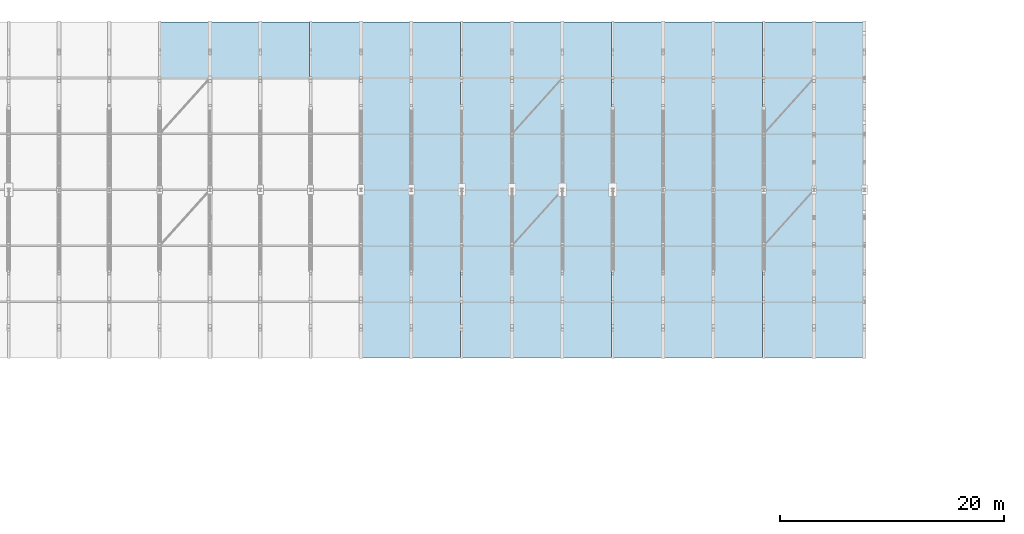
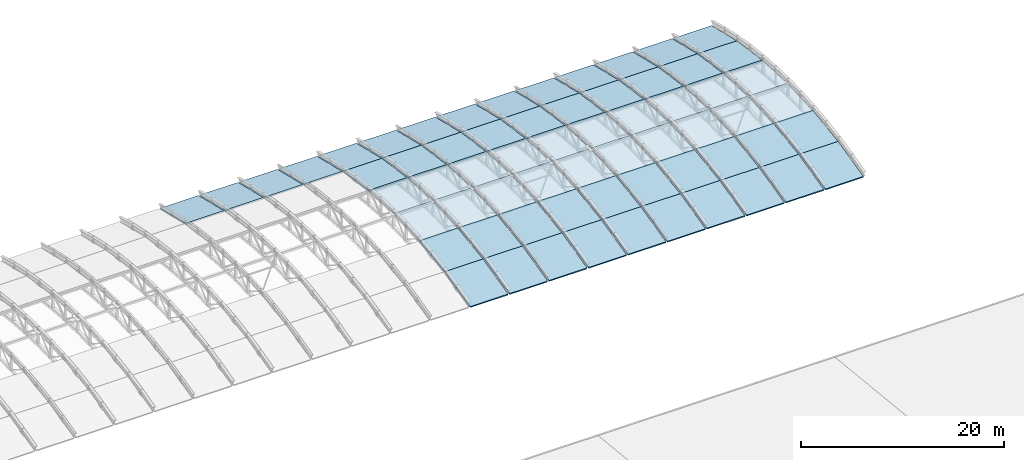
# One storey, part 45 of 53: 64 roofs.
"""IFC4 building model written with IfcOpenShell, lengths in metres."""

import ifcopenshell
import ifcopenshell.guid

model = None  # the IFC model being written
_history = None  # IfcOwnerHistory: only IFC2X3 demands one
_inside = {}  # id of a spatial element -> (the spatial element, [elements in it])
_under = {}  # id of a project, library or spatial element -> (it, [spatial elements below it])
_declared = {}  # id of a project -> (the project, [libraries it declares])
_typed = {}  # id of a type object -> (the type object, [elements of that type])
_made_of = {}  # id of a material, layer set ... -> (it, [elements and type objects made of it])


def new_model(schema):
    """Start an empty IFC model of exactly this schema.

    Asked for "IFC4X3", IfcOpenShell would pick the latest addendum, in which some entities
    have other attributes; the version numbers below select the first issue.
    IFC2X3 requires an IfcOwnerHistory on every rooted entity: one is made here for all.
    """
    global model, _history
    if schema == "IFC4X3":
        model = ifcopenshell.file(schema_version=(4, 3, 0, 0))
    else:
        model = ifcopenshell.file(schema=schema)
    _inside.clear()
    _under.clear()
    _declared.clear()
    _typed.clear()
    _made_of.clear()
    _history = None
    if model.schema == "IFC2X3":
        org = make("IfcOrganization", Name="unknown")
        user = make(
            "IfcPersonAndOrganization",
            ThePerson=make("IfcPerson", FamilyName="unknown"),
            TheOrganization=org,
        )
        app = make(
            "IfcApplication",
            ApplicationDeveloper=org,
            Version="unknown",
            ApplicationFullName="unknown",
            ApplicationIdentifier="unknown",
        )
        _history = make(
            "IfcOwnerHistory",
            OwningUser=user,
            OwningApplication=app,
            ChangeAction="ADDED",
            CreationDate=0,
        )
    return model


def make(cls, **values):
    """One entity of the class cls with the attributes given. An attribute that is None is left unset."""
    return model.create_entity(
        cls, **{name: value for name, value in values.items() if value is not None}
    )


def rooted(cls, **values):
    """An entity with a GlobalId (a new one), such as an element, a storey or a relation."""
    return make(cls, GlobalId=ifcopenshell.guid.new(), OwnerHistory=_history, **values)


def si_unit(unit_type, name, prefix=None):
    """IfcSIUnit, for example si_unit("LENGTHUNIT", "METRE", prefix="MILLI")."""
    return make("IfcSIUnit", UnitType=unit_type, Prefix=prefix, Name=name)


def assignment(units):
    """IfcUnitAssignment: the units of a project."""
    return None if units is None else make("IfcUnitAssignment", Units=units)


def point(xyz):
    """IfcCartesianPoint."""
    return None if xyz is None else make("IfcCartesianPoint", Coordinates=xyz)


def direction(xyz):
    """IfcDirection."""
    return None if xyz is None else make("IfcDirection", DirectionRatios=xyz)


def frame(location, z_axis=None, x_axis=None):
    """IfcAxis2Placement3D, a coordinate frame: its origin and axes. An axis left out is left unset."""
    return make(
        "IfcAxis2Placement3D",
        Location=point(location),
        Axis=direction(z_axis),
        RefDirection=direction(x_axis),
    )


def origin():
    """The frame at (0, 0, 0) with its axes left unset."""
    return frame((0.0, 0.0, 0.0))


def place(relative_to, where):
    """IfcLocalPlacement: puts the frame where relative to a parent placement (None: the world)."""
    return make(
        "IfcLocalPlacement", PlacementRelTo=relative_to, RelativePlacement=where
    )


def context(
    kind, dimensions, precision=None, world=None, true_north=None, identifier=None
):
    """IfcGeometricRepresentationContext, for example the 3D "Model" context."""
    return make(
        "IfcGeometricRepresentationContext",
        ContextIdentifier=identifier,
        ContextType=kind,
        CoordinateSpaceDimension=dimensions,
        Precision=precision,
        WorldCoordinateSystem=world,
        TrueNorth=true_north,
    )


def subcontext(parent, identifier, kind, view, scale=None):
    """IfcGeometricRepresentationSubContext, for example "Body" below "Model"."""
    return make(
        "IfcGeometricRepresentationSubContext",
        ContextIdentifier=identifier,
        ContextType=kind,
        ParentContext=parent,
        TargetScale=scale,
        TargetView=view,
    )


def project(units=None, contexts=None):
    """IfcProject with its units and contexts."""
    return rooted(
        "IfcProject",
        Name="project",
        RepresentationContexts=contexts,
        UnitsInContext=assignment(units),
    )


def spatial(cls, under=None, at=None, **own):
    """A site, building, storey or space (cls), placed at a placement, below another one or the project."""
    s = rooted(cls, ObjectPlacement=at, **own)
    if under is not None:
        _under.setdefault(under.id(), (under, []))[1].append(s)
    return s


def polyline(points):
    """IfcPolyline through the points."""
    return make("IfcPolyline", Points=[point(p) for p in points])


def outline(outer, holes=None, kind="AREA"):
    """IfcArbitraryClosedProfileDef: a profile drawn as a closed curve; with holes, ...WithVoids."""
    if holes is None:
        return make("IfcArbitraryClosedProfileDef", ProfileType=kind, OuterCurve=outer)
    return make(
        "IfcArbitraryProfileDefWithVoids",
        ProfileType=kind,
        OuterCurve=outer,
        InnerCurves=holes,
    )


def extrude(swept, where, along, depth):
    """IfcExtrudedAreaSolid: the profile swept, set in the frame where, extruded along a direction by depth."""
    return make(
        "IfcExtrudedAreaSolid",
        SweptArea=swept,
        Position=where,
        ExtrudedDirection=direction(along),
        Depth=depth,
    )


def shape(context_of_items, identifier, shape_type, items):
    """IfcShapeRepresentation: the items that make up one representation, for example the "Body"."""
    return make(
        "IfcShapeRepresentation",
        ContextOfItems=context_of_items,
        RepresentationIdentifier=identifier,
        RepresentationType=shape_type,
        Items=items,
    )


def material(Name=None, Category=None):
    """IfcMaterial."""
    return make("IfcMaterial", Name=Name, Category=Category)


def made_of(thing, what):
    """Note that an element or type object is made of a material, layer set ...; save() writes the relation."""
    if what is not None:
        _made_of.setdefault(what.id(), (what, []))[1].append(thing)
    return thing


def type_object(cls, material=None, **own):
    """A type object (cls), such as IfcWallType, which elements share."""
    return made_of(rooted(cls, **own), material)


def element(
    cls,
    number,
    at=None,
    inside=None,
    cuts=None,
    type_object=None,
    material=None,
    context=None,
    identifier="Body",
    shape_type=None,
    held_by="IfcProductDefinitionShape",
    body=None,
    shapes=None,
    **own,
):
    """One element of the class cls, such as IfcWall. Its Tag is "e" and its number.

    at: its placement. inside: the storey or other place that contains it. cuts: it is an
    opening in that element (IfcRelVoidsElement). A single representation is given by context,
    identifier, shape_type and body (its items); several are given by shapes. held_by: the class
    of the entity that holds the representations. save() writes the other relations.
    """
    e = rooted(cls, Tag="e%d" % number, ObjectPlacement=at, **own)
    if body is not None:
        shapes = [shape(context, identifier, shape_type, body)]
    if shapes is not None:
        e.Representation = make(held_by, Representations=shapes)
    if inside is not None:
        _inside.setdefault(inside.id(), (inside, []))[1].append(e)
    if cuts is not None:
        rooted(
            "IfcRelVoidsElement", RelatingBuildingElement=cuts, RelatedOpeningElement=e
        )
    if type_object is not None:
        _typed.setdefault(type_object.id(), (type_object, []))[1].append(e)
    return made_of(e, material)


def aggregate(whole, parts):
    """IfcRelAggregates: a whole, such as a stair, and the parts it consists of."""
    return rooted("IfcRelAggregates", RelatingObject=whole, RelatedObjects=parts)


def save(model, path):
    """Write the relations noted so far, then the file.

    IfcRelAggregates (storeys below a building ...), IfcRelContainedInSpatialStructure (elements
    in a storey), IfcRelDefinesByType, IfcRelAssociatesMaterial and IfcRelDeclares: one each for
    every whole, place, type object, material and project.
    """
    for whole, parts in _under.values():
        aggregate(whole, parts)
    for where, things in _inside.values():
        rooted(
            "IfcRelContainedInSpatialStructure",
            RelatedElements=things,
            RelatingStructure=where,
        )
    for kind, things in _typed.values():
        rooted("IfcRelDefinesByType", RelatedObjects=things, RelatingType=kind)
    for what, things in _made_of.values():
        rooted("IfcRelAssociatesMaterial", RelatedObjects=things, RelatingMaterial=what)
    for by, libraries in _declared.values():
        rooted("IfcRelDeclares", RelatingContext=by, RelatedDefinitions=libraries)
    model.write(path)


model = new_model("IFC4")

# Units and contexts
model_context = context("Model", 3, precision=1e-05, world=origin(), true_north=direction((0.0, 1.0)))
body_context = subcontext(model_context, "Body", "Model", "MODEL_VIEW")
ifc_project = project(units=[si_unit("LENGTHUNIT", "METRE"), si_unit("AREAUNIT", "SQUARE_METRE"), si_unit("VOLUMEUNIT", "CUBIC_METRE"), si_unit("PLANEANGLEUNIT", "RADIAN"), si_unit("MASSUNIT", "GRAM", prefix="KILO")], contexts=[model_context])

# Site, building, storey
site_placement = place(None, origin())
site = spatial("IfcSite", under=ifc_project, at=site_placement, CompositionType="ELEMENT")
building_placement = place(site_placement, origin())
building = spatial("IfcBuilding", under=site, at=building_placement, Name="Cazmaro Siding Exhibition Halls", CompositionType="ELEMENT")
storey_placement = place(building_placement, frame((0.0, 0.0, 21.0)))
storey = spatial("IfcBuildingStorey", under=building, at=storey_placement, Name="L04", CompositionType="ELEMENT", Elevation=21.0)

# Roofs
ifc_material = material(Name="Standing Seam Zinc Insulated Roof Assembly", Category="steel")
roof_type = type_object("IfcRoofType", Name="RF-BARREL-01", PredefinedType="BARREL_ROOF", material=ifc_material)
for number, where, z_axis, x_axis, name in (
    (1, (108.0849609375, 104.0, 1.31689453125), (0.0, 0.233723079924, 0.972303204721), (1.0, 0.0, 0.0), "Primary Hall Standing Seam Zinc Roof Cassette RF-V1 177"),
    (2, (112.5849609375, 104.0, 1.31689453125), (0.0, 0.233723079924, 0.972303204721), (1.0, 0.0, 0.0), "Primary Hall Standing Seam Zinc Roof Cassette RF-V1 189"),
    (3, (117.0849609375, 104.0, 1.31689453125), (0.0, 0.233723079924, 0.972303204721), (1.0, 0.0, 0.0), "Primary Hall Standing Seam Zinc Roof Cassette RF-V1 201"),
    (4, (121.5849609375, 104.0, 1.31689453125), (0.0, 0.233723079924, 0.972303204721), (1.0, 0.0, 0.0), "Primary Hall Standing Seam Zinc Roof Cassette RF-V1 213"),
    (5, (126.0849609375, 79.0, 0.114990234375), (0.0, -0.233723079924, 0.972303204721), (1.0, 0.0, 0.0), "Primary Hall Standing Seam Zinc Roof Cassette RF-V1 220"),
):
    element("IfcRoof", number, at=place(storey_placement, frame(where, z_axis=z_axis, x_axis=x_axis)), inside=storey, type_object=roof_type, Name=name, PredefinedType="BARREL_ROOF", context=body_context, shape_type="SweptSolid", body=[
        extrude(outline(polyline([(0.0, 0.0), (4.330078125, 0.0), (4.330078125, 5.142428797644804), (0.0, 5.142428797644804), (0.0, 0.0)])), origin(), (0.0, 0.0, -1.0), 0.159912109375),
    ])
roof_1_placement = place(storey_placement, frame((126.0849609375, 84.0, 1.31689453125), z_axis=(0.0, -0.140392508323, 0.990095926467), x_axis=(1.0, 0.0, 0.0)))
element("IfcRoof", 6, at=roof_1_placement, inside=storey, type_object=roof_type, Name="Primary Hall Standing Seam Zinc Roof Cassette RF-V1 221", PredefinedType="BARREL_ROOF", context=body_context, shape_type="SweptSolid", body=[
    extrude(outline(polyline([(0.0, 0.0), (4.330078125, 0.0), (4.330078125, 5.050015727103643), (0.0, 5.050015727103643), (0.0, 0.0)])), origin(), (0.0, 0.0, -1.0), 0.159912109375),
])
for number, where, z_axis, x_axis, name in (
    (7, (126.0849609375, 89.0, 2.02587890625), (0.0, -0.046774918499, 0.998905454485), (1.0, 0.0, 0.0), "Primary Hall Standing Seam Zinc Roof Cassette RF-V1 222"),
    (8, (126.0849609375, 94.0, 2.260009765625), (0.0, 0.046774918499, 0.998905454485), (1.0, 0.0, 0.0), "Primary Hall Standing Seam Zinc Roof Cassette RF-V1 223"),
):
    element("IfcRoof", number, at=place(storey_placement, frame(where, z_axis=z_axis, x_axis=x_axis)), inside=storey, type_object=roof_type, Name=name, PredefinedType="BARREL_ROOF", context=body_context, shape_type="SweptSolid", body=[
        extrude(outline(polyline([(0.0, 0.0), (4.330078125, 0.0), (4.330078125, 5.005478724289183), (0.0, 5.005478724289183), (0.0, 0.0)])), origin(), (0.0, 0.0, -1.0), 0.159912109375),
    ])
roof_2_placement = place(storey_placement, frame((126.0849609375, 99.0, 2.02587890625), z_axis=(0.0, 0.140392508323, 0.990095926467), x_axis=(1.0, 0.0, 0.0)))
element("IfcRoof", 9, at=roof_2_placement, inside=storey, type_object=roof_type, Name="Primary Hall Standing Seam Zinc Roof Cassette RF-V1 224", PredefinedType="BARREL_ROOF", context=body_context, shape_type="SweptSolid", body=[
    extrude(outline(polyline([(0.0, 0.0), (4.330078125, 0.0), (4.330078125, 5.050015727103643), (0.0, 5.050015727103643), (0.0, 0.0)])), origin(), (0.0, 0.0, -1.0), 0.159912109375),
])
for number, where, z_axis, x_axis, name in (
    (10, (126.0849609375, 104.0, 1.31689453125), (0.0, 0.233723079924, 0.972303204721), (1.0, 0.0, 0.0), "Primary Hall Standing Seam Zinc Roof Cassette RF-V1 225"),
    (11, (130.5849609375, 79.0, 0.114990234375), (0.0, -0.233723079924, 0.972303204721), (1.0, 0.0, 0.0), "Primary Hall Standing Seam Zinc Roof Cassette RF-V1 232"),
):
    element("IfcRoof", number, at=place(storey_placement, frame(where, z_axis=z_axis, x_axis=x_axis)), inside=storey, type_object=roof_type, Name=name, PredefinedType="BARREL_ROOF", context=body_context, shape_type="SweptSolid", body=[
        extrude(outline(polyline([(0.0, 0.0), (4.330078125, 0.0), (4.330078125, 5.142428797644804), (0.0, 5.142428797644804), (0.0, 0.0)])), origin(), (0.0, 0.0, -1.0), 0.159912109375),
    ])
roof_3_placement = place(storey_placement, frame((130.5849609375, 84.0, 1.31689453125), z_axis=(0.0, -0.140392508323, 0.990095926467), x_axis=(1.0, 0.0, 0.0)))
element("IfcRoof", 12, at=roof_3_placement, inside=storey, type_object=roof_type, Name="Primary Hall Standing Seam Zinc Roof Cassette RF-V1 233", PredefinedType="BARREL_ROOF", context=body_context, shape_type="SweptSolid", body=[
    extrude(outline(polyline([(0.0, 0.0), (4.330078125, 0.0), (4.330078125, 5.050015727103643), (0.0, 5.050015727103643), (0.0, 0.0)])), origin(), (0.0, 0.0, -1.0), 0.159912109375),
])
for number, where, z_axis, x_axis, name in (
    (13, (130.5849609375, 89.0, 2.02587890625), (0.0, -0.046774918499, 0.998905454485), (1.0, 0.0, 0.0), "Primary Hall Standing Seam Zinc Roof Cassette RF-V1 234"),
    (14, (130.5849609375, 94.0, 2.260009765625), (0.0, 0.046774918499, 0.998905454485), (1.0, 0.0, 0.0), "Primary Hall Standing Seam Zinc Roof Cassette RF-V1 235"),
):
    element("IfcRoof", number, at=place(storey_placement, frame(where, z_axis=z_axis, x_axis=x_axis)), inside=storey, type_object=roof_type, Name=name, PredefinedType="BARREL_ROOF", context=body_context, shape_type="SweptSolid", body=[
        extrude(outline(polyline([(0.0, 0.0), (4.330078125, 0.0), (4.330078125, 5.005478724289183), (0.0, 5.005478724289183), (0.0, 0.0)])), origin(), (0.0, 0.0, -1.0), 0.159912109375),
    ])
roof_4_placement = place(storey_placement, frame((130.5849609375, 99.0, 2.02587890625), z_axis=(0.0, 0.140392508323, 0.990095926467), x_axis=(1.0, 0.0, 0.0)))
element("IfcRoof", 15, at=roof_4_placement, inside=storey, type_object=roof_type, Name="Primary Hall Standing Seam Zinc Roof Cassette RF-V1 236", PredefinedType="BARREL_ROOF", context=body_context, shape_type="SweptSolid", body=[
    extrude(outline(polyline([(0.0, 0.0), (4.330078125, 0.0), (4.330078125, 5.050015727103643), (0.0, 5.050015727103643), (0.0, 0.0)])), origin(), (0.0, 0.0, -1.0), 0.159912109375),
])
for number, where, z_axis, x_axis, name in (
    (16, (130.5849609375, 104.0, 1.31689453125), (0.0, 0.233723079924, 0.972303204721), (1.0, 0.0, 0.0), "Primary Hall Standing Seam Zinc Roof Cassette RF-V1 237"),
    (17, (135.0849609375, 79.0, 0.114990234375), (0.0, -0.233723079924, 0.972303204721), (1.0, 0.0, 0.0), "Primary Hall Standing Seam Zinc Roof Cassette RF-V1 244"),
):
    element("IfcRoof", number, at=place(storey_placement, frame(where, z_axis=z_axis, x_axis=x_axis)), inside=storey, type_object=roof_type, Name=name, PredefinedType="BARREL_ROOF", context=body_context, shape_type="SweptSolid", body=[
        extrude(outline(polyline([(0.0, 0.0), (4.330078125, 0.0), (4.330078125, 5.142428797644804), (0.0, 5.142428797644804), (0.0, 0.0)])), origin(), (0.0, 0.0, -1.0), 0.159912109375),
    ])
roof_5_placement = place(storey_placement, frame((135.0849609375, 84.0, 1.31689453125), z_axis=(0.0, -0.140392508323, 0.990095926467), x_axis=(1.0, 0.0, 0.0)))
element("IfcRoof", 18, at=roof_5_placement, inside=storey, type_object=roof_type, Name="Primary Hall Standing Seam Zinc Roof Cassette RF-V1 245", PredefinedType="BARREL_ROOF", context=body_context, shape_type="SweptSolid", body=[
    extrude(outline(polyline([(0.0, 0.0), (4.330078125, 0.0), (4.330078125, 5.050015727103643), (0.0, 5.050015727103643), (0.0, 0.0)])), origin(), (0.0, 0.0, -1.0), 0.159912109375),
])
for number, where, z_axis, x_axis, name in (
    (19, (135.0849609375, 89.0, 2.02587890625), (0.0, -0.046774918499, 0.998905454485), (1.0, 0.0, 0.0), "Primary Hall Standing Seam Zinc Roof Cassette RF-V1 246"),
    (20, (135.0849609375, 94.0, 2.260009765625), (0.0, 0.046774918499, 0.998905454485), (1.0, 0.0, 0.0), "Primary Hall Standing Seam Zinc Roof Cassette RF-V1 247"),
):
    element("IfcRoof", number, at=place(storey_placement, frame(where, z_axis=z_axis, x_axis=x_axis)), inside=storey, type_object=roof_type, Name=name, PredefinedType="BARREL_ROOF", context=body_context, shape_type="SweptSolid", body=[
        extrude(outline(polyline([(0.0, 0.0), (4.330078125, 0.0), (4.330078125, 5.005478724289183), (0.0, 5.005478724289183), (0.0, 0.0)])), origin(), (0.0, 0.0, -1.0), 0.159912109375),
    ])
roof_6_placement = place(storey_placement, frame((135.0849609375, 99.0, 2.02587890625), z_axis=(0.0, 0.140392508323, 0.990095926467), x_axis=(1.0, 0.0, 0.0)))
element("IfcRoof", 21, at=roof_6_placement, inside=storey, type_object=roof_type, Name="Primary Hall Standing Seam Zinc Roof Cassette RF-V1 248", PredefinedType="BARREL_ROOF", context=body_context, shape_type="SweptSolid", body=[
    extrude(outline(polyline([(0.0, 0.0), (4.330078125, 0.0), (4.330078125, 5.050015727103643), (0.0, 5.050015727103643), (0.0, 0.0)])), origin(), (0.0, 0.0, -1.0), 0.159912109375),
])
for number, where, z_axis, x_axis, name in (
    (22, (135.0849609375, 104.0, 1.31689453125), (0.0, 0.233723079924, 0.972303204721), (1.0, 0.0, 0.0), "Primary Hall Standing Seam Zinc Roof Cassette RF-V1 249"),
    (23, (139.5849609375, 79.0, 0.114990234375), (0.0, -0.233723079924, 0.972303204721), (1.0, 0.0, 0.0), "Primary Hall Standing Seam Zinc Roof Cassette RF-V1 256"),
):
    element("IfcRoof", number, at=place(storey_placement, frame(where, z_axis=z_axis, x_axis=x_axis)), inside=storey, type_object=roof_type, Name=name, PredefinedType="BARREL_ROOF", context=body_context, shape_type="SweptSolid", body=[
        extrude(outline(polyline([(0.0, 0.0), (4.330078125, 0.0), (4.330078125, 5.142428797644804), (0.0, 5.142428797644804), (0.0, 0.0)])), origin(), (0.0, 0.0, -1.0), 0.159912109375),
    ])
roof_7_placement = place(storey_placement, frame((139.5849609375, 84.0, 1.31689453125), z_axis=(0.0, -0.140392508323, 0.990095926467), x_axis=(1.0, 0.0, 0.0)))
element("IfcRoof", 24, at=roof_7_placement, inside=storey, type_object=roof_type, Name="Primary Hall Standing Seam Zinc Roof Cassette RF-V1 257", PredefinedType="BARREL_ROOF", context=body_context, shape_type="SweptSolid", body=[
    extrude(outline(polyline([(0.0, 0.0), (4.330078125, 0.0), (4.330078125, 5.050015727103643), (0.0, 5.050015727103643), (0.0, 0.0)])), origin(), (0.0, 0.0, -1.0), 0.159912109375),
])
for number, where, z_axis, x_axis, name in (
    (25, (139.5849609375, 89.0, 2.02587890625), (0.0, -0.046774918499, 0.998905454485), (1.0, 0.0, 0.0), "Primary Hall Standing Seam Zinc Roof Cassette RF-V1 258"),
    (26, (139.5849609375, 94.0, 2.260009765625), (0.0, 0.046774918499, 0.998905454485), (1.0, 0.0, 0.0), "Primary Hall Standing Seam Zinc Roof Cassette RF-V1 259"),
):
    element("IfcRoof", number, at=place(storey_placement, frame(where, z_axis=z_axis, x_axis=x_axis)), inside=storey, type_object=roof_type, Name=name, PredefinedType="BARREL_ROOF", context=body_context, shape_type="SweptSolid", body=[
        extrude(outline(polyline([(0.0, 0.0), (4.330078125, 0.0), (4.330078125, 5.005478724289183), (0.0, 5.005478724289183), (0.0, 0.0)])), origin(), (0.0, 0.0, -1.0), 0.159912109375),
    ])
roof_8_placement = place(storey_placement, frame((139.5849609375, 99.0, 2.02587890625), z_axis=(0.0, 0.140392508323, 0.990095926467), x_axis=(1.0, 0.0, 0.0)))
element("IfcRoof", 27, at=roof_8_placement, inside=storey, type_object=roof_type, Name="Primary Hall Standing Seam Zinc Roof Cassette RF-V1 260", PredefinedType="BARREL_ROOF", context=body_context, shape_type="SweptSolid", body=[
    extrude(outline(polyline([(0.0, 0.0), (4.330078125, 0.0), (4.330078125, 5.050015727103643), (0.0, 5.050015727103643), (0.0, 0.0)])), origin(), (0.0, 0.0, -1.0), 0.159912109375),
])
for number, where, z_axis, x_axis, name in (
    (28, (139.5849609375, 104.0, 1.31689453125), (0.0, 0.233723079924, 0.972303204721), (1.0, 0.0, 0.0), "Primary Hall Standing Seam Zinc Roof Cassette RF-V1 261"),
    (29, (144.0849609375, 79.0, 0.114990234375), (0.0, -0.233723079924, 0.972303204721), (1.0, 0.0, 0.0), "Primary Hall Standing Seam Zinc Roof Cassette RF-V1 268"),
):
    element("IfcRoof", number, at=place(storey_placement, frame(where, z_axis=z_axis, x_axis=x_axis)), inside=storey, type_object=roof_type, Name=name, PredefinedType="BARREL_ROOF", context=body_context, shape_type="SweptSolid", body=[
        extrude(outline(polyline([(0.0, 0.0), (4.330078125, 0.0), (4.330078125, 5.142428797644804), (0.0, 5.142428797644804), (0.0, 0.0)])), origin(), (0.0, 0.0, -1.0), 0.159912109375),
    ])
roof_9_placement = place(storey_placement, frame((144.0849609375, 84.0, 1.31689453125), z_axis=(0.0, -0.140392508323, 0.990095926467), x_axis=(1.0, 0.0, 0.0)))
element("IfcRoof", 30, at=roof_9_placement, inside=storey, type_object=roof_type, Name="Primary Hall Standing Seam Zinc Roof Cassette RF-V1 269", PredefinedType="BARREL_ROOF", context=body_context, shape_type="SweptSolid", body=[
    extrude(outline(polyline([(0.0, 0.0), (4.330078125, 0.0), (4.330078125, 5.050015727103643), (0.0, 5.050015727103643), (0.0, 0.0)])), origin(), (0.0, 0.0, -1.0), 0.159912109375),
])
for number, where, z_axis, x_axis, name in (
    (31, (144.0849609375, 89.0, 2.02587890625), (0.0, -0.046774918499, 0.998905454485), (1.0, 0.0, 0.0), "Primary Hall Standing Seam Zinc Roof Cassette RF-V1 270"),
    (32, (144.0849609375, 94.0, 2.260009765625), (0.0, 0.046774918499, 0.998905454485), (1.0, 0.0, 0.0), "Primary Hall Standing Seam Zinc Roof Cassette RF-V1 271"),
):
    element("IfcRoof", number, at=place(storey_placement, frame(where, z_axis=z_axis, x_axis=x_axis)), inside=storey, type_object=roof_type, Name=name, PredefinedType="BARREL_ROOF", context=body_context, shape_type="SweptSolid", body=[
        extrude(outline(polyline([(0.0, 0.0), (4.330078125, 0.0), (4.330078125, 5.005478724289183), (0.0, 5.005478724289183), (0.0, 0.0)])), origin(), (0.0, 0.0, -1.0), 0.159912109375),
    ])
roof_10_placement = place(storey_placement, frame((144.0849609375, 99.0, 2.02587890625), z_axis=(0.0, 0.140392508323, 0.990095926467), x_axis=(1.0, 0.0, 0.0)))
element("IfcRoof", 33, at=roof_10_placement, inside=storey, type_object=roof_type, Name="Primary Hall Standing Seam Zinc Roof Cassette RF-V1 272", PredefinedType="BARREL_ROOF", context=body_context, shape_type="SweptSolid", body=[
    extrude(outline(polyline([(0.0, 0.0), (4.330078125, 0.0), (4.330078125, 5.050015727103643), (0.0, 5.050015727103643), (0.0, 0.0)])), origin(), (0.0, 0.0, -1.0), 0.159912109375),
])
for number, where, z_axis, x_axis, name in (
    (34, (144.0849609375, 104.0, 1.31689453125), (0.0, 0.233723079924, 0.972303204721), (1.0, 0.0, 0.0), "Primary Hall Standing Seam Zinc Roof Cassette RF-V1 273"),
    (35, (148.5849609375, 79.0, 0.114990234375), (0.0, -0.233723079924, 0.972303204721), (1.0, 0.0, 0.0), "Primary Hall Standing Seam Zinc Roof Cassette RF-V1 280"),
):
    element("IfcRoof", number, at=place(storey_placement, frame(where, z_axis=z_axis, x_axis=x_axis)), inside=storey, type_object=roof_type, Name=name, PredefinedType="BARREL_ROOF", context=body_context, shape_type="SweptSolid", body=[
        extrude(outline(polyline([(0.0, 0.0), (4.330078125, 0.0), (4.330078125, 5.142428797644804), (0.0, 5.142428797644804), (0.0, 0.0)])), origin(), (0.0, 0.0, -1.0), 0.159912109375),
    ])
roof_11_placement = place(storey_placement, frame((148.5849609375, 84.0, 1.31689453125), z_axis=(0.0, -0.140392508323, 0.990095926467), x_axis=(1.0, 0.0, 0.0)))
element("IfcRoof", 36, at=roof_11_placement, inside=storey, type_object=roof_type, Name="Primary Hall Standing Seam Zinc Roof Cassette RF-V1 281", PredefinedType="BARREL_ROOF", context=body_context, shape_type="SweptSolid", body=[
    extrude(outline(polyline([(0.0, 0.0), (4.330078125, 0.0), (4.330078125, 5.050015727103643), (0.0, 5.050015727103643), (0.0, 0.0)])), origin(), (0.0, 0.0, -1.0), 0.159912109375),
])
for number, where, z_axis, x_axis, name in (
    (37, (148.5849609375, 89.0, 2.02587890625), (0.0, -0.046774918499, 0.998905454485), (1.0, 0.0, 0.0), "Primary Hall Standing Seam Zinc Roof Cassette RF-V1 282"),
    (38, (148.5849609375, 94.0, 2.260009765625), (0.0, 0.046774918499, 0.998905454485), (1.0, 0.0, 0.0), "Primary Hall Standing Seam Zinc Roof Cassette RF-V1 283"),
):
    element("IfcRoof", number, at=place(storey_placement, frame(where, z_axis=z_axis, x_axis=x_axis)), inside=storey, type_object=roof_type, Name=name, PredefinedType="BARREL_ROOF", context=body_context, shape_type="SweptSolid", body=[
        extrude(outline(polyline([(0.0, 0.0), (4.330078125, 0.0), (4.330078125, 5.005478724289183), (0.0, 5.005478724289183), (0.0, 0.0)])), origin(), (0.0, 0.0, -1.0), 0.159912109375),
    ])
roof_12_placement = place(storey_placement, frame((148.5849609375, 99.0, 2.02587890625), z_axis=(0.0, 0.140392508323, 0.990095926467), x_axis=(1.0, 0.0, 0.0)))
element("IfcRoof", 39, at=roof_12_placement, inside=storey, type_object=roof_type, Name="Primary Hall Standing Seam Zinc Roof Cassette RF-V1 284", PredefinedType="BARREL_ROOF", context=body_context, shape_type="SweptSolid", body=[
    extrude(outline(polyline([(0.0, 0.0), (4.330078125, 0.0), (4.330078125, 5.050015727103643), (0.0, 5.050015727103643), (0.0, 0.0)])), origin(), (0.0, 0.0, -1.0), 0.159912109375),
])
for number, where, z_axis, x_axis, name in (
    (40, (148.5849609375, 104.0, 1.31689453125), (0.0, 0.233723079924, 0.972303204721), (1.0, 0.0, 0.0), "Primary Hall Standing Seam Zinc Roof Cassette RF-V1 285"),
    (41, (153.0849609375, 79.0, 0.114990234375), (0.0, -0.233723079924, 0.972303204721), (1.0, 0.0, 0.0), "Primary Hall Standing Seam Zinc Roof Cassette RF-V1 292"),
):
    element("IfcRoof", number, at=place(storey_placement, frame(where, z_axis=z_axis, x_axis=x_axis)), inside=storey, type_object=roof_type, Name=name, PredefinedType="BARREL_ROOF", context=body_context, shape_type="SweptSolid", body=[
        extrude(outline(polyline([(0.0, 0.0), (4.330078125, 0.0), (4.330078125, 5.142428797644804), (0.0, 5.142428797644804), (0.0, 0.0)])), origin(), (0.0, 0.0, -1.0), 0.159912109375),
    ])
roof_13_placement = place(storey_placement, frame((153.0849609375, 84.0, 1.31689453125), z_axis=(0.0, -0.140392508323, 0.990095926467), x_axis=(1.0, 0.0, 0.0)))
element("IfcRoof", 42, at=roof_13_placement, inside=storey, type_object=roof_type, Name="Primary Hall Standing Seam Zinc Roof Cassette RF-V1 293", PredefinedType="BARREL_ROOF", context=body_context, shape_type="SweptSolid", body=[
    extrude(outline(polyline([(0.0, 0.0), (4.330078125, 0.0), (4.330078125, 5.050015727103643), (0.0, 5.050015727103643), (0.0, 0.0)])), origin(), (0.0, 0.0, -1.0), 0.159912109375),
])
for number, where, z_axis, x_axis, name in (
    (43, (153.0849609375, 89.0, 2.02587890625), (0.0, -0.046774918499, 0.998905454485), (1.0, 0.0, 0.0), "Primary Hall Standing Seam Zinc Roof Cassette RF-V1 294"),
    (44, (153.0849609375, 94.0, 2.260009765625), (0.0, 0.046774918499, 0.998905454485), (1.0, 0.0, 0.0), "Primary Hall Standing Seam Zinc Roof Cassette RF-V1 295"),
):
    element("IfcRoof", number, at=place(storey_placement, frame(where, z_axis=z_axis, x_axis=x_axis)), inside=storey, type_object=roof_type, Name=name, PredefinedType="BARREL_ROOF", context=body_context, shape_type="SweptSolid", body=[
        extrude(outline(polyline([(0.0, 0.0), (4.330078125, 0.0), (4.330078125, 5.005478724289183), (0.0, 5.005478724289183), (0.0, 0.0)])), origin(), (0.0, 0.0, -1.0), 0.159912109375),
    ])
roof_14_placement = place(storey_placement, frame((153.0849609375, 99.0, 2.02587890625), z_axis=(0.0, 0.140392508323, 0.990095926467), x_axis=(1.0, 0.0, 0.0)))
element("IfcRoof", 45, at=roof_14_placement, inside=storey, type_object=roof_type, Name="Primary Hall Standing Seam Zinc Roof Cassette RF-V1 296", PredefinedType="BARREL_ROOF", context=body_context, shape_type="SweptSolid", body=[
    extrude(outline(polyline([(0.0, 0.0), (4.330078125, 0.0), (4.330078125, 5.050015727103643), (0.0, 5.050015727103643), (0.0, 0.0)])), origin(), (0.0, 0.0, -1.0), 0.159912109375),
])
for number, where, z_axis, x_axis, name in (
    (46, (153.0849609375, 104.0, 1.31689453125), (0.0, 0.233723079924, 0.972303204721), (1.0, 0.0, 0.0), "Primary Hall Standing Seam Zinc Roof Cassette RF-V1 297"),
    (47, (157.5849609375, 79.0, 0.114990234375), (0.0, -0.233723079924, 0.972303204721), (1.0, 0.0, 0.0), "Primary Hall Standing Seam Zinc Roof Cassette RF-V1 304"),
):
    element("IfcRoof", number, at=place(storey_placement, frame(where, z_axis=z_axis, x_axis=x_axis)), inside=storey, type_object=roof_type, Name=name, PredefinedType="BARREL_ROOF", context=body_context, shape_type="SweptSolid", body=[
        extrude(outline(polyline([(0.0, 0.0), (4.330078125, 0.0), (4.330078125, 5.142428797644804), (0.0, 5.142428797644804), (0.0, 0.0)])), origin(), (0.0, 0.0, -1.0), 0.159912109375),
    ])
roof_15_placement = place(storey_placement, frame((157.5849609375, 84.0, 1.31689453125), z_axis=(0.0, -0.140392508323, 0.990095926467), x_axis=(1.0, 0.0, 0.0)))
element("IfcRoof", 48, at=roof_15_placement, inside=storey, type_object=roof_type, Name="Primary Hall Standing Seam Zinc Roof Cassette RF-V1 305", PredefinedType="BARREL_ROOF", context=body_context, shape_type="SweptSolid", body=[
    extrude(outline(polyline([(0.0, 0.0), (4.330078125, 0.0), (4.330078125, 5.050015727103643), (0.0, 5.050015727103643), (0.0, 0.0)])), origin(), (0.0, 0.0, -1.0), 0.159912109375),
])
for number, where, z_axis, x_axis, name in (
    (49, (157.5849609375, 89.0, 2.02587890625), (0.0, -0.046774918499, 0.998905454485), (1.0, 0.0, 0.0), "Primary Hall Standing Seam Zinc Roof Cassette RF-V1 306"),
    (50, (157.5849609375, 94.0, 2.260009765625), (0.0, 0.046774918499, 0.998905454485), (1.0, 0.0, 0.0), "Primary Hall Standing Seam Zinc Roof Cassette RF-V1 307"),
):
    element("IfcRoof", number, at=place(storey_placement, frame(where, z_axis=z_axis, x_axis=x_axis)), inside=storey, type_object=roof_type, Name=name, PredefinedType="BARREL_ROOF", context=body_context, shape_type="SweptSolid", body=[
        extrude(outline(polyline([(0.0, 0.0), (4.330078125, 0.0), (4.330078125, 5.005478724289183), (0.0, 5.005478724289183), (0.0, 0.0)])), origin(), (0.0, 0.0, -1.0), 0.159912109375),
    ])
roof_16_placement = place(storey_placement, frame((157.5849609375, 99.0, 2.02587890625), z_axis=(0.0, 0.140392508323, 0.990095926467), x_axis=(1.0, 0.0, 0.0)))
element("IfcRoof", 51, at=roof_16_placement, inside=storey, type_object=roof_type, Name="Primary Hall Standing Seam Zinc Roof Cassette RF-V1 308", PredefinedType="BARREL_ROOF", context=body_context, shape_type="SweptSolid", body=[
    extrude(outline(polyline([(0.0, 0.0), (4.330078125, 0.0), (4.330078125, 5.050015727103643), (0.0, 5.050015727103643), (0.0, 0.0)])), origin(), (0.0, 0.0, -1.0), 0.159912109375),
])
for number, where, z_axis, x_axis, name in (
    (52, (157.5849609375, 104.0, 1.31689453125), (0.0, 0.233723079924, 0.972303204721), (1.0, 0.0, 0.0), "Primary Hall Standing Seam Zinc Roof Cassette RF-V1 309"),
    (53, (162.0849609375, 79.0, 0.114990234375), (0.0, -0.233723079924, 0.972303204721), (1.0, 0.0, 0.0), "Primary Hall Standing Seam Zinc Roof Cassette RF-V1 316"),
):
    element("IfcRoof", number, at=place(storey_placement, frame(where, z_axis=z_axis, x_axis=x_axis)), inside=storey, type_object=roof_type, Name=name, PredefinedType="BARREL_ROOF", context=body_context, shape_type="SweptSolid", body=[
        extrude(outline(polyline([(0.0, 0.0), (4.330078125, 0.0), (4.330078125, 5.142428797644804), (0.0, 5.142428797644804), (0.0, 0.0)])), origin(), (0.0, 0.0, -1.0), 0.159912109375),
    ])
roof_17_placement = place(storey_placement, frame((162.0849609375, 84.0, 1.31689453125), z_axis=(0.0, -0.140392508323, 0.990095926467), x_axis=(1.0, 0.0, 0.0)))
element("IfcRoof", 54, at=roof_17_placement, inside=storey, type_object=roof_type, Name="Primary Hall Standing Seam Zinc Roof Cassette RF-V1 317", PredefinedType="BARREL_ROOF", context=body_context, shape_type="SweptSolid", body=[
    extrude(outline(polyline([(0.0, 0.0), (4.330078125, 0.0), (4.330078125, 5.050015727103643), (0.0, 5.050015727103643), (0.0, 0.0)])), origin(), (0.0, 0.0, -1.0), 0.159912109375),
])
for number, where, z_axis, x_axis, name in (
    (55, (162.0849609375, 89.0, 2.02587890625), (0.0, -0.046774918499, 0.998905454485), (1.0, 0.0, 0.0), "Primary Hall Standing Seam Zinc Roof Cassette RF-V1 318"),
    (56, (162.0849609375, 94.0, 2.260009765625), (0.0, 0.046774918499, 0.998905454485), (1.0, 0.0, 0.0), "Primary Hall Standing Seam Zinc Roof Cassette RF-V1 319"),
):
    element("IfcRoof", number, at=place(storey_placement, frame(where, z_axis=z_axis, x_axis=x_axis)), inside=storey, type_object=roof_type, Name=name, PredefinedType="BARREL_ROOF", context=body_context, shape_type="SweptSolid", body=[
        extrude(outline(polyline([(0.0, 0.0), (4.330078125, 0.0), (4.330078125, 5.005478724289183), (0.0, 5.005478724289183), (0.0, 0.0)])), origin(), (0.0, 0.0, -1.0), 0.159912109375),
    ])
roof_18_placement = place(storey_placement, frame((162.0849609375, 99.0, 2.02587890625), z_axis=(0.0, 0.140392508323, 0.990095926467), x_axis=(1.0, 0.0, 0.0)))
element("IfcRoof", 57, at=roof_18_placement, inside=storey, type_object=roof_type, Name="Primary Hall Standing Seam Zinc Roof Cassette RF-V1 320", PredefinedType="BARREL_ROOF", context=body_context, shape_type="SweptSolid", body=[
    extrude(outline(polyline([(0.0, 0.0), (4.330078125, 0.0), (4.330078125, 5.050015727103643), (0.0, 5.050015727103643), (0.0, 0.0)])), origin(), (0.0, 0.0, -1.0), 0.159912109375),
])
for number, where, z_axis, x_axis, name in (
    (58, (162.0849609375, 104.0, 1.31689453125), (0.0, 0.233723079924, 0.972303204721), (1.0, 0.0, 0.0), "Primary Hall Standing Seam Zinc Roof Cassette RF-V1 321"),
    (59, (166.5849609375, 79.0, 0.114990234375), (0.0, -0.233723079924, 0.972303204721), (1.0, 0.0, 0.0), "Primary Hall Standing Seam Zinc Roof Cassette RF-V1 328"),
):
    element("IfcRoof", number, at=place(storey_placement, frame(where, z_axis=z_axis, x_axis=x_axis)), inside=storey, type_object=roof_type, Name=name, PredefinedType="BARREL_ROOF", context=body_context, shape_type="SweptSolid", body=[
        extrude(outline(polyline([(0.0, 0.0), (4.330078125, 0.0), (4.330078125, 5.142428797644804), (0.0, 5.142428797644804), (0.0, 0.0)])), origin(), (0.0, 0.0, -1.0), 0.159912109375),
    ])
roof_19_placement = place(storey_placement, frame((166.5849609375, 84.0, 1.31689453125), z_axis=(0.0, -0.140392508323, 0.990095926467), x_axis=(1.0, 0.0, 0.0)))
element("IfcRoof", 60, at=roof_19_placement, inside=storey, type_object=roof_type, Name="Primary Hall Standing Seam Zinc Roof Cassette RF-V1 329", PredefinedType="BARREL_ROOF", context=body_context, shape_type="SweptSolid", body=[
    extrude(outline(polyline([(0.0, 0.0), (4.330078125, 0.0), (4.330078125, 5.050015727103643), (0.0, 5.050015727103643), (0.0, 0.0)])), origin(), (0.0, 0.0, -1.0), 0.159912109375),
])
for number, where, z_axis, x_axis, name in (
    (61, (166.5849609375, 89.0, 2.02587890625), (0.0, -0.046774918499, 0.998905454485), (1.0, 0.0, 0.0), "Primary Hall Standing Seam Zinc Roof Cassette RF-V1 330"),
    (62, (166.5849609375, 94.0, 2.260009765625), (0.0, 0.046774918499, 0.998905454485), (1.0, 0.0, 0.0), "Primary Hall Standing Seam Zinc Roof Cassette RF-V1 331"),
):
    element("IfcRoof", number, at=place(storey_placement, frame(where, z_axis=z_axis, x_axis=x_axis)), inside=storey, type_object=roof_type, Name=name, PredefinedType="BARREL_ROOF", context=body_context, shape_type="SweptSolid", body=[
        extrude(outline(polyline([(0.0, 0.0), (4.330078125, 0.0), (4.330078125, 5.005478724289183), (0.0, 5.005478724289183), (0.0, 0.0)])), origin(), (0.0, 0.0, -1.0), 0.159912109375),
    ])
roof_20_placement = place(storey_placement, frame((166.5849609375, 99.0, 2.02587890625), z_axis=(0.0, 0.140392508323, 0.990095926467), x_axis=(1.0, 0.0, 0.0)))
element("IfcRoof", 63, at=roof_20_placement, inside=storey, type_object=roof_type, Name="Primary Hall Standing Seam Zinc Roof Cassette RF-V1 332", PredefinedType="BARREL_ROOF", context=body_context, shape_type="SweptSolid", body=[
    extrude(outline(polyline([(0.0, 0.0), (4.330078125, 0.0), (4.330078125, 5.050015727103643), (0.0, 5.050015727103643), (0.0, 0.0)])), origin(), (0.0, 0.0, -1.0), 0.159912109375),
])
roof_21_placement = place(storey_placement, frame((166.5849609375, 104.0, 1.31689453125), z_axis=(0.0, 0.233723079924, 0.972303204721), x_axis=(1.0, 0.0, 0.0)))
element("IfcRoof", 64, at=roof_21_placement, inside=storey, type_object=roof_type, Name="Primary Hall Standing Seam Zinc Roof Cassette RF-V1 333", PredefinedType="BARREL_ROOF", context=body_context, shape_type="SweptSolid", body=[
    extrude(outline(polyline([(0.0, 0.0), (4.330078125, 0.0), (4.330078125, 5.142428797644804), (0.0, 5.142428797644804), (0.0, 0.0)])), origin(), (0.0, 0.0, -1.0), 0.159912109375),
])

save(model, "model.ifc")
